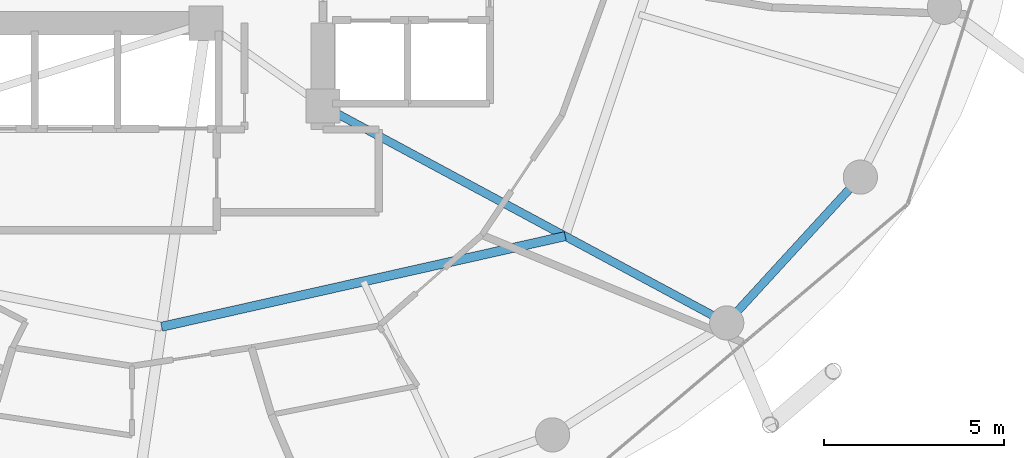
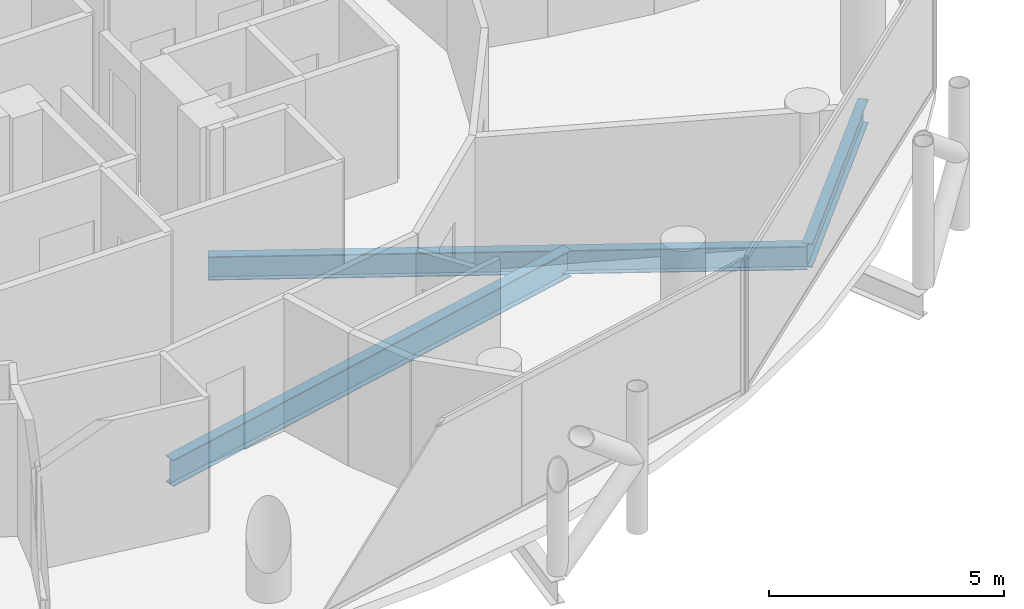
# One storey, part 9 of 26: 3 beams.
"""IFC4 building model written with IfcOpenShell, lengths in metres."""

from ifc_helpers import new_model, si_unit, direction, frame, origin, origin_2d, place, context, subcontext, project, spatial, i_section, extrude, material, material_profile, profile_set, type_object, element, save


model = new_model("IFC4")

# Units and contexts
model_context = context("Model", 3, precision=1e-05, world=origin(), true_north=direction((0.0, 1.0)))
body_context = subcontext(model_context, "Body", "Model", "MODEL_VIEW")
ifc_project = project(units=[si_unit("LENGTHUNIT", "METRE"), si_unit("AREAUNIT", "SQUARE_METRE"), si_unit("VOLUMEUNIT", "CUBIC_METRE"), si_unit("PLANEANGLEUNIT", "RADIAN"), si_unit("MASSUNIT", "GRAM", prefix="KILO")], contexts=[model_context])

# Site, building, storey
site_placement = place(None, origin())
site = spatial("IfcSite", under=ifc_project, at=site_placement, CompositionType="ELEMENT")
building_placement = place(site_placement, origin())
building = spatial("IfcBuilding", under=site, at=building_placement, Name="Nuhasar Tower", CompositionType="ELEMENT")
storey_placement = place(building_placement, frame((0.0, 0.0, 125.64990234375)))
storey = spatial("IfcBuildingStorey", under=building, at=storey_placement, Name="L29", CompositionType="ELEMENT", Elevation=125.64990234375)

# Beams
ifc_material = material(Name="Steel S355", Category="steel")
ifc_material_profile_1 = material_profile(ifc_material, i_section(OverallWidth=0.25390625, OverallDepth=0.68408203125, WebThickness=0.012451171875, FlangeThickness=0.018798828125, at=origin_2d()), Name="W27X94")
ifc_profile_set_1 = profile_set([ifc_material_profile_1], Name="Steel S355")
beam_type_1 = type_object("IfcBeamType", Name="BM-INRING-W27X94", PredefinedType="BEAM", material=ifc_profile_set_1)
beam_1_placement = place(storey_placement, frame((39.820068359375, 12.8701171875, -0.591796875), z_axis=(0.975716159385, 0.219038755282, 0.0), x_axis=(-0.219038755282, 0.975716159385, 0.0)))
element("IfcBeam", 1, at=beam_1_placement, inside=storey, type_object=beam_type_1, Name="L29 Inner Header Beam 02", PredefinedType="BEAM", context=body_context, shape_type="SweptSolid", body=[
    extrude(i_section(OverallWidth=0.25390625, OverallDepth=0.68408203125, WebThickness=0.012451171875, FlangeThickness=0.018798828125, at=origin_2d()), origin(), (0.0, 0.0, 1.0), 11.48583984375),
])
ifc_material_profile_2 = material_profile(ifc_material, i_section(OverallWidth=0.22900390625, OverallDepth=0.612060546875, WebThickness=0.011962890625, FlangeThickness=0.01953125, at=origin_2d()), Name="W24X84")
ifc_profile_set_2 = profile_set([ifc_material_profile_2], Name="Steel S355")
beam_type_2 = type_object("IfcBeamType", Name="BM-RAD-W24X84", PredefinedType="BEAM", material=ifc_profile_set_2)
beam_2_placement = place(storey_placement, frame((44.300048828125, 19.0, -0.555908203125), z_axis=(0.880888386928, -0.473324043098, 0.0), x_axis=(0.473324043098, 0.880888386928, 0.0)))
element("IfcBeam", 2, at=beam_2_placement, inside=storey, type_object=beam_type_2, Name="L29 Radial Floor Girder 03", PredefinedType="BEAM", context=body_context, shape_type="SweptSolid", body=[
    extrude(i_section(OverallWidth=0.22900390625, OverallDepth=0.612060546875, WebThickness=0.011962890625, FlangeThickness=0.01953125, at=origin_2d()), origin(), (0.0, 0.0, 1.0), 12.726806640625),
])
ifc_material_profile_3 = material_profile(ifc_material, i_section(OverallWidth=0.22998046875, OverallDepth=0.616943359375, WebThickness=0.01318359375, FlangeThickness=0.022216796875, at=origin_2d()), Name="W24X94")
ifc_profile_set_3 = profile_set([ifc_material_profile_3], Name="Steel S355")
beam_type_3 = type_object("IfcBeamType", Name="BM-RING-W24X94", PredefinedType="SPANDREL", material=ifc_profile_set_3)
beam_3_placement = place(storey_placement, frame((55.510986328125, 12.97607421875, -0.557861328125), z_axis=(0.675676316545, 0.737198423262, 0.0), x_axis=(-0.737198423262, 0.675676316545, 0.0)))
element("IfcBeam", 3, at=beam_3_placement, inside=storey, type_object=beam_type_3, Name="L29 Perimeter Ring Spandrel 22", PredefinedType="SPANDREL", context=body_context, shape_type="SweptSolid", body=[
    extrude(i_section(OverallWidth=0.22998046875, OverallDepth=0.616943359375, WebThickness=0.01318359375, FlangeThickness=0.022216796875, at=origin_2d()), origin(), (0.0, 0.0, 1.0), 5.4921875),
])

save(model, "model.ifc")
